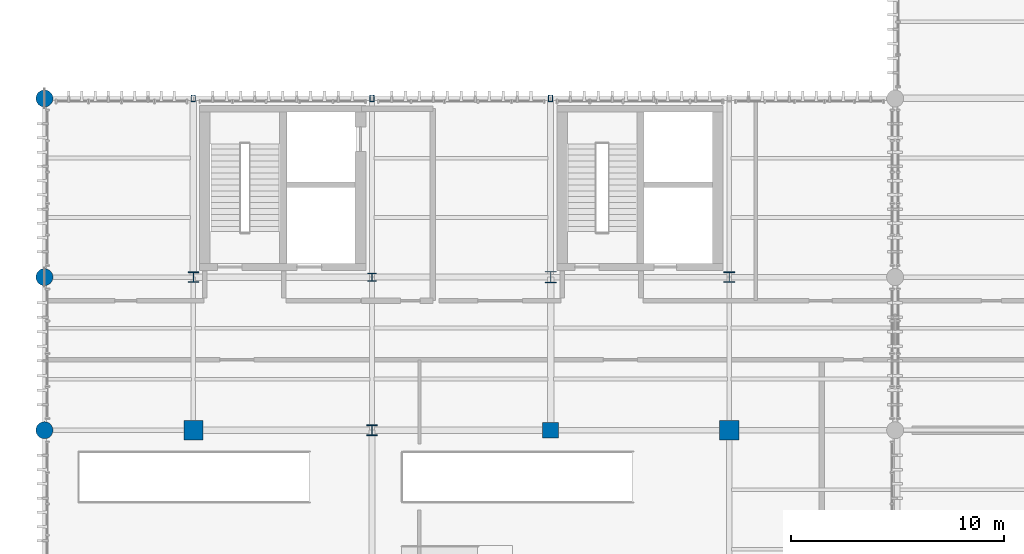
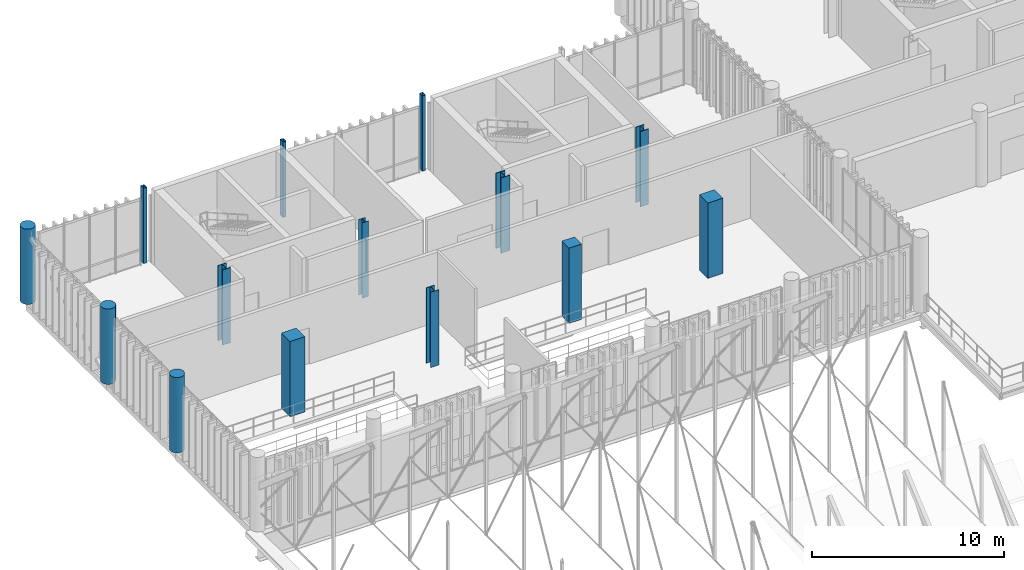
# One storey, part 3 of 109: 14 columns.
"""IFC4 building model written with IfcOpenShell, lengths in metres."""

from ifc_helpers import new_model, si_unit, direction, frame, origin_with_axes, origin_2d_with_axis, place, context, subcontext, project, spatial, rectangle, hollow_rectangle, circle, i_section, extrude, material, material_profile, profile_set, type_object, element, save


model = new_model("IFC4")

# Units and contexts
model_context = context("Model", 3, precision=1e-05, world=origin_with_axes(), true_north=direction((0.0, 1.0)))
body_context = subcontext(model_context, "Body", "Model", "MODEL_VIEW")
ifc_project = project(units=[si_unit("LENGTHUNIT", "METRE"), si_unit("AREAUNIT", "SQUARE_METRE"), si_unit("VOLUMEUNIT", "CUBIC_METRE"), si_unit("PLANEANGLEUNIT", "RADIAN"), si_unit("MASSUNIT", "GRAM", prefix="KILO"), si_unit("THERMODYNAMICTEMPERATUREUNIT", "KELVIN")], contexts=[model_context])

# Site, building, storey
site_placement = place(None, origin_with_axes())
site = spatial("IfcSite", under=ifc_project, at=site_placement, CompositionType="ELEMENT")
building_placement = place(site_placement, origin_with_axes())
building = spatial("IfcBuilding", under=site, at=building_placement, Name="Montbau Bow Law Courts", CompositionType="ELEMENT")
storey_placement = place(building_placement, frame((0.0, 0.0, 10.8), z_axis=(0.0, 0.0, 1.0), x_axis=(1.0, 0.0, 0.0)))
storey = spatial("IfcBuildingStorey", under=building, at=storey_placement, Name="L02", CompositionType="ELEMENT", Elevation=10.8)

# Columns
ifc_material_1 = material(Name="Steel CSA G40.21 Grade 350WT (350 MPa)", Category="steel")
ifc_material_profile_1 = material_profile(ifc_material_1, hollow_rectangle(XDim=0.203, YDim=0.305, WallThickness=0.0127, InnerFilletRadius=0.0254, OuterFilletRadius=0.0127, at=origin_2d_with_axis()), Name="HSS305X203X13", Category="Main", Priority=0)
ifc_profile_set_1 = profile_set([ifc_material_profile_1], Name="Steel CSA G40.21 Grade 350WT (350 MPa)")
column_type_1 = type_object("IfcColumnType", Name="C-HSS-03", PredefinedType="COLUMN", material=ifc_profile_set_1)
for number, where, z_axis, x_axis, name in (
    (1, (13.8, 54.6, 10.8), (0.0, 0.0, 1.0), (1.0, 0.0, 0.0), "C-L02-S0527:col2_0527"),
    (2, (22.2, 54.6, 10.8), (0.0, 0.0, 1.0), (1.0, 0.0, 0.0), "C-L02-S0531:col2_0531"),
    (3, (30.6, 54.6, 10.8), (0.0, 0.0, 1.0), (1.0, 0.0, 0.0), "C-L02-S0535:col2_0535"),
):
    element("IfcColumn", number, at=place(None, frame(where, z_axis=z_axis, x_axis=x_axis)), inside=storey, type_object=column_type_1, Name=name, PredefinedType="COLUMN", context=body_context, shape_type="SweptSolid", body=[
        extrude(hollow_rectangle(XDim=0.203, YDim=0.305, WallThickness=0.0127, InnerFilletRadius=0.0254, OuterFilletRadius=0.0127, at=origin_2d_with_axis()), origin_with_axes(), (0.0, 0.0, 1.0), 4.8),
    ])
ifc_material_2 = material(Name="Concrete CSA A23.1 f'c 45 MPa", Category="concrete")
ifc_material_profile_2 = material_profile(ifc_material_2, rectangle(XDim=0.9, YDim=0.9, at=origin_2d_with_axis()), Name="RC900X900", Category="Main", Priority=0)
ifc_profile_set_2 = profile_set([ifc_material_profile_2], Name="Concrete CSA A23.1 f'c 45 MPa")
column_type_2 = type_object("IfcColumnType", Name="C-RC-01", PredefinedType="COLUMN", material=ifc_profile_set_2)
for number, where, z_axis, x_axis, name in (
    (4, (13.8, 39.0, 10.8), (0.0, 0.0, 1.0), (1.0, 0.0, 0.0), "C-L02-S0525:col2_0525"),
    (5, (39.0, 39.0, 10.8), (0.0, 0.0, 1.0), (1.0, 0.0, 0.0), "C-L02-S0537:col2_0537"),
):
    element("IfcColumn", number, at=place(None, frame(where, z_axis=z_axis, x_axis=x_axis)), inside=storey, type_object=column_type_2, Name=name, PredefinedType="COLUMN", context=body_context, shape_type="SweptSolid", body=[
        extrude(rectangle(XDim=0.9, YDim=0.9, at=origin_2d_with_axis()), origin_with_axes(), (0.0, 0.0, 1.0), 4.8),
    ])
ifc_material_3 = material(Name="Concrete CSA A23.1 f'c 40 MPa", Category="concrete")
ifc_material_profile_3 = material_profile(ifc_material_3, rectangle(XDim=0.75, YDim=0.75, at=origin_2d_with_axis()), Name="RC750X750", Category="Main", Priority=0)
ifc_profile_set_3 = profile_set([ifc_material_profile_3], Name="Concrete CSA A23.1 f'c 40 MPa")
column_type_3 = type_object("IfcColumnType", Name="C-RC-03", PredefinedType="COLUMN", material=ifc_profile_set_3)
column_1_placement = place(None, frame((30.6, 39.0, 10.8), z_axis=(0.0, 0.0, 1.0), x_axis=(1.0, 0.0, 0.0)))
element("IfcColumn", 6, at=column_1_placement, inside=storey, type_object=column_type_3, Name="C-L02-S0533:col2_0533", PredefinedType="COLUMN", context=body_context, shape_type="SweptSolid", body=[
    extrude(rectangle(XDim=0.75, YDim=0.75, at=origin_2d_with_axis()), origin_with_axes(), (0.0, 0.0, 1.0), 4.8),
])
ifc_material_profile_4 = material_profile(ifc_material_3, circle(Radius=0.4, at=origin_2d_with_axis()), Name="RC800D", Category="Main", Priority=0)
ifc_profile_set_4 = profile_set([ifc_material_profile_4], Name="Concrete CSA A23.1 f'c 40 MPa")
column_type_4 = type_object("IfcColumnType", Name="C-RC-07", PredefinedType="COLUMN", material=ifc_profile_set_4)
for number, where, z_axis, x_axis, name in (
    (7, (6.8, 39.0, 10.8), (0.0, 0.0, 1.0), (1.0, 0.0, 0.0), "C-L02-S0521:col2_0521"),
    (8, (6.8, 46.2, 10.8), (0.0, 0.0, 1.0), (1.0, 0.0, 0.0), "C-L02-S0522:col2_0522"),
    (9, (6.8, 54.6, 10.8), (0.0, 0.0, 1.0), (1.0, 0.0, 0.0), "C-L02-S0523:col2_0523"),
):
    element("IfcColumn", number, at=place(None, frame(where, z_axis=z_axis, x_axis=x_axis)), inside=storey, type_object=column_type_4, Name=name, PredefinedType="COLUMN", context=body_context, shape_type="SweptSolid", body=[
        extrude(circle(Radius=0.4, at=origin_2d_with_axis()), origin_with_axes(), (0.0, 0.0, 1.0), 4.8),
    ])
ifc_material_4 = material(Name="Steel CSA G40.21 Grade 350W (350 MPa)", Category="steel")
ifc_material_profile_5 = material_profile(ifc_material_4, i_section(OverallWidth=0.55, OverallDepth=0.55, WebThickness=0.025, FlangeThickness=0.042, at=origin_2d_with_axis()), Name="WWF550X420", Category="Main", Priority=0)
ifc_profile_set_5 = profile_set([ifc_material_profile_5], Name="Steel CSA G40.21 Grade 350W (350 MPa)")
column_type_5 = type_object("IfcColumnType", Name="C-STL-01", PredefinedType="COLUMN", material=ifc_profile_set_5)
column_2_placement = place(None, frame((30.6, 46.2, 10.8), z_axis=(0.0, 0.0, 1.0), x_axis=(1.0, 0.0, 0.0)))
element("IfcColumn", 10, at=column_2_placement, inside=storey, type_object=column_type_5, Name="C-L02-S0534:col2_0534", PredefinedType="COLUMN", context=body_context, shape_type="SweptSolid", body=[
    extrude(i_section(OverallWidth=0.55, OverallDepth=0.55, WebThickness=0.025, FlangeThickness=0.042, at=origin_2d_with_axis()), origin_with_axes(), (0.0, 0.0, 1.0), 4.8),
])
ifc_material_profile_6 = material_profile(ifc_material_4, i_section(OverallWidth=0.5, OverallDepth=0.5, WebThickness=0.022, FlangeThickness=0.036, at=origin_2d_with_axis()), Name="WWF500X343", Category="Main", Priority=0)
ifc_profile_set_6 = profile_set([ifc_material_profile_6], Name="Steel CSA G40.21 Grade 350W (350 MPa)")
column_type_6 = type_object("IfcColumnType", Name="C-STL-02", PredefinedType="COLUMN", material=ifc_profile_set_6)
for number, where, z_axis, x_axis, name in (
    (11, (13.8, 46.2, 10.8), (0.0, 0.0, 1.0), (1.0, 0.0, 0.0), "C-L02-S0526:col2_0526"),
    (12, (22.2, 39.0, 10.8), (0.0, 0.0, 1.0), (1.0, 0.0, 0.0), "C-L02-S0529:col2_0529"),
    (13, (39.0, 46.2, 10.8), (0.0, 0.0, 1.0), (1.0, 0.0, 0.0), "C-L02-S0538:col2_0538"),
):
    element("IfcColumn", number, at=place(None, frame(where, z_axis=z_axis, x_axis=x_axis)), inside=storey, type_object=column_type_6, Name=name, PredefinedType="COLUMN", context=body_context, shape_type="SweptSolid", body=[
        extrude(i_section(OverallWidth=0.5, OverallDepth=0.5, WebThickness=0.022, FlangeThickness=0.036, at=origin_2d_with_axis()), origin_with_axes(), (0.0, 0.0, 1.0), 4.8),
    ])
ifc_material_profile_7 = material_profile(ifc_material_4, i_section(OverallWidth=0.395, OverallDepth=0.38, WebThickness=0.0189, FlangeThickness=0.0302, at=origin_2d_with_axis()), Name="W360X237", Category="Main", Priority=0)
ifc_profile_set_7 = profile_set([ifc_material_profile_7], Name="Steel CSA G40.21 Grade 350W (350 MPa)")
column_type_7 = type_object("IfcColumnType", Name="C-STL-03", PredefinedType="COLUMN", material=ifc_profile_set_7)
column_3_placement = place(None, frame((22.2, 46.2, 10.8), z_axis=(0.0, 0.0, 1.0), x_axis=(1.0, 0.0, 0.0)))
element("IfcColumn", 14, at=column_3_placement, inside=storey, type_object=column_type_7, Name="C-L02-S0530:col2_0530", PredefinedType="COLUMN", context=body_context, shape_type="SweptSolid", body=[
    extrude(i_section(OverallWidth=0.395, OverallDepth=0.38, WebThickness=0.0189, FlangeThickness=0.0302, at=origin_2d_with_axis()), origin_with_axes(), (0.0, 0.0, 1.0), 4.8),
])

save(model, "model.ifc")
